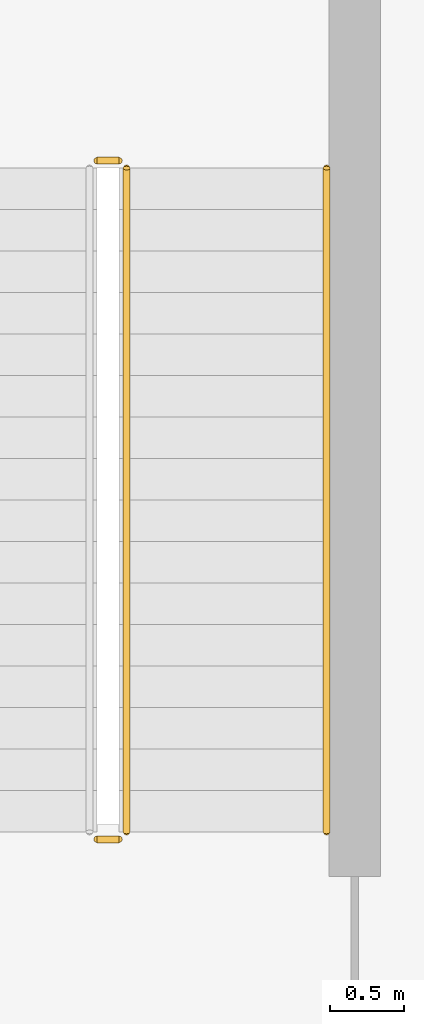
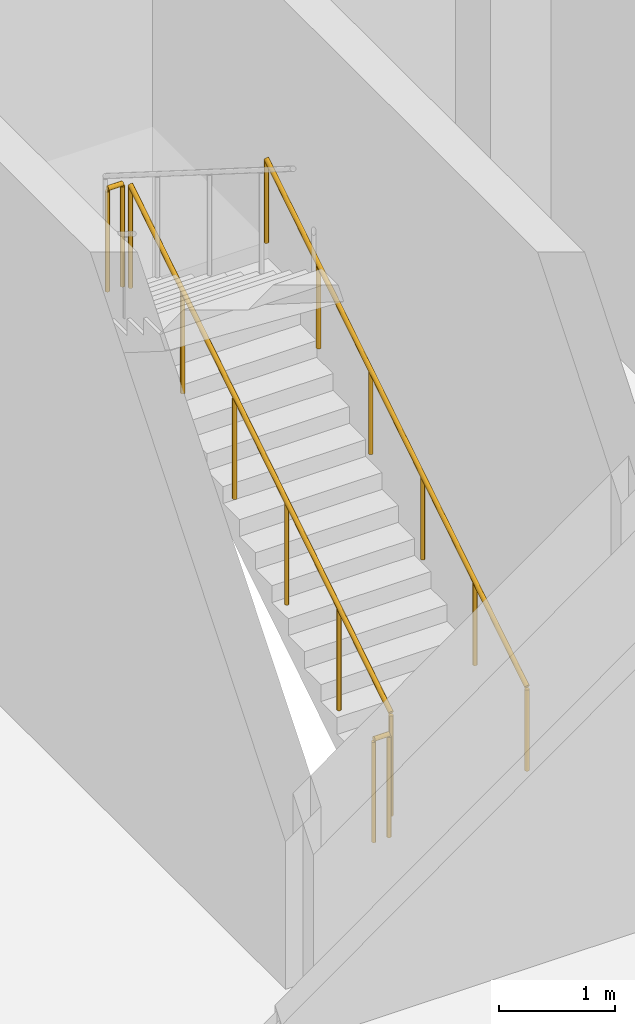
# One storey, part 140 of 144: 4 railings.
"""IFC4 building model written with IfcOpenShell, lengths in metres."""

from ifc_helpers import new_model, si_unit, direction, frame, origin, origin_2d, place, context, subcontext, project, spatial, circle, extrude, material, type_object, element, save


model = new_model("IFC4")

# Units and contexts
model_context = context("Model", 3, precision=1e-05, world=origin(), true_north=direction((0.0, 1.0)))
body_context = subcontext(model_context, "Body", "Model", "MODEL_VIEW")
ifc_project = project(units=[si_unit("LENGTHUNIT", "METRE"), si_unit("AREAUNIT", "SQUARE_METRE"), si_unit("VOLUMEUNIT", "CUBIC_METRE"), si_unit("PLANEANGLEUNIT", "RADIAN"), si_unit("MASSUNIT", "GRAM", prefix="KILO")], contexts=[model_context])

# Site, building, storey
site_placement = place(None, origin())
site = spatial("IfcSite", under=ifc_project, at=site_placement, CompositionType="ELEMENT")
building_placement = place(site_placement, origin())
building = spatial("IfcBuilding", under=site, at=building_placement, Name="Sundgate Opera House", CompositionType="ELEMENT")
storey_placement = place(building_placement, origin())
storey = spatial("IfcBuildingStorey", under=building, at=storey_placement, Name="L00", CompositionType="ELEMENT", Elevation=0.0)

# Railings
ifc_material_1 = material(Name="Painted steel S275 guardrail", Category="steel")
railing_type_1 = type_object("IfcRailingType", Name="RL-STAIR-GUARD-1100", PredefinedType="GUARDRAIL", material=ifc_material_1)
railing_1_placement = place(storey_placement, frame((13.449951171875, 89.300048828125, 0.176513671875)))
element("IfcRailing", 1, at=railing_1_placement, inside=storey, type_object=railing_type_1, Name="ST08L00 Guardrail RL0257", PredefinedType="GUARDRAIL", context=body_context, shape_type="SweptSolid", body=[
    extrude(circle(Radius=0.02392578125, at=origin_2d()), frame((0.0, 0.0, 1.076171875), z_axis=(0.0, 0.845997938375, 0.533186166611), x_axis=(-1.0, 0.0, 0.0)), (0.0, 0.0, 1.0), 5.29541015625),
    extrude(circle(Radius=0.02099609375, at=origin_2d()), origin(), (0.0, 0.0, 1.0), 1.052001953125),
    extrude(circle(Radius=0.02099609375, at=origin_2d()), frame((0.0, 0.89599609375, 0.564697265625)), (0.0, 0.0, 1.0), 1.052001953125),
    extrude(circle(Radius=0.02099609375, at=origin_2d()), frame((0.0, 1.7919921875, 1.12939453125)), (0.0, 0.0, 1.0), 1.052001953125),
    extrude(circle(Radius=0.02099609375, at=origin_2d()), frame((0.0, 2.68798828125, 1.694091796875)), (0.0, 0.0, 1.0), 1.052001953125),
    extrude(circle(Radius=0.02099609375, at=origin_2d()), frame((0.0, 3.583984375, 2.2587890625)), (0.0, 0.0, 1.0), 1.052001953125),
    extrude(circle(Radius=0.02099609375, at=origin_2d()), frame((0.0, 4.47998046875, 2.823486328125)), (0.0, 0.0, 1.0), 1.052001953125),
])
for number, where, name in (
    (2, (13.39990234375, 93.830078125, 3.0), "ST08L00 Guardrail RL0258"),
    (3, (13.39990234375, 89.25, 0.0), "ST08L00 Guardrail RL0260"),
):
    element("IfcRailing", number, at=place(storey_placement, frame(where)), inside=storey, type_object=railing_type_1, Name=name, PredefinedType="GUARDRAIL", context=body_context, shape_type="SweptSolid", body=[
        extrude(circle(Radius=0.02392578125, at=origin_2d()), frame((0.0, 0.0, 1.076171875), z_axis=(-1.0, 0.0, 0.0), x_axis=(0.0, -1.0, 0.0)), (0.0, 0.0, 1.0), 0.14990234375),
        extrude(circle(Radius=0.02099609375, at=origin_2d()), origin(), (0.0, 0.0, 1.0), 1.052001953125),
        extrude(circle(Radius=0.02099609375, at=origin_2d()), frame((-0.14990234375, 0.0, 0.0)), (0.0, 0.0, 1.0), 1.052001953125),
    ])
ifc_material_2 = material(Name="Brushed stainless steel handrail", Category="steel")
railing_type_2 = type_object("IfcRailingType", Name="RL-STAIR-HAND-900", PredefinedType="HANDRAIL", material=ifc_material_2)
railing_2_placement = place(storey_placement, frame((14.800048828125, 89.300048828125, 0.176513671875)))
element("IfcRailing", 4, at=railing_2_placement, inside=storey, type_object=railing_type_2, Name="ST08L00 Handrail RL0261", PredefinedType="HANDRAIL", context=body_context, shape_type="SweptSolid", body=[
    extrude(circle(Radius=0.02392578125, at=origin_2d()), frame((0.0, 0.0, 0.8759765625), z_axis=(0.0, 0.845997938375, 0.533186166611), x_axis=(-1.0, 0.0, 0.0)), (0.0, 0.0, 1.0), 5.29541015625),
    extrude(circle(Radius=0.02099609375, at=origin_2d()), origin(), (0.0, 0.0, 1.0), 0.851806640625),
    extrude(circle(Radius=0.02099609375, at=origin_2d()), frame((0.0, 0.89599609375, 0.564697265625)), (0.0, 0.0, 1.0), 0.851806640625),
    extrude(circle(Radius=0.02099609375, at=origin_2d()), frame((0.0, 1.7919921875, 1.12939453125)), (0.0, 0.0, 1.0), 0.851806640625),
    extrude(circle(Radius=0.02099609375, at=origin_2d()), frame((0.0, 2.68798828125, 1.694091796875)), (0.0, 0.0, 1.0), 0.851806640625),
    extrude(circle(Radius=0.02099609375, at=origin_2d()), frame((0.0, 3.583984375, 2.2587890625)), (0.0, 0.0, 1.0), 0.851806640625),
    extrude(circle(Radius=0.02099609375, at=origin_2d()), frame((0.0, 4.47998046875, 2.823486328125)), (0.0, 0.0, 1.0), 0.851806640625),
])

save(model, "model.ifc")
